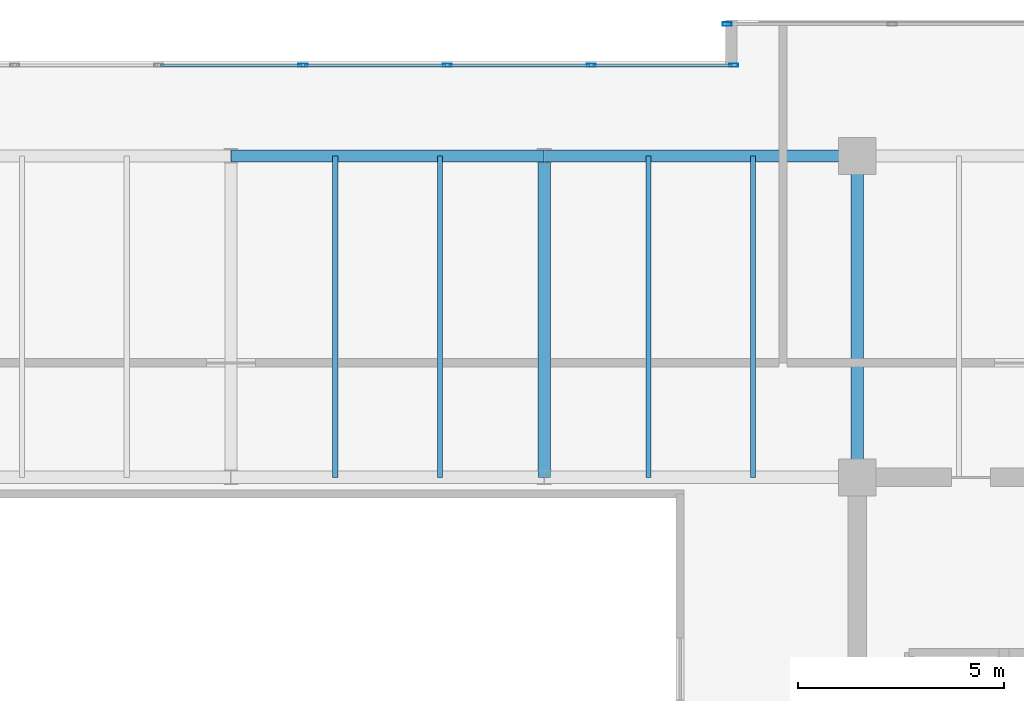
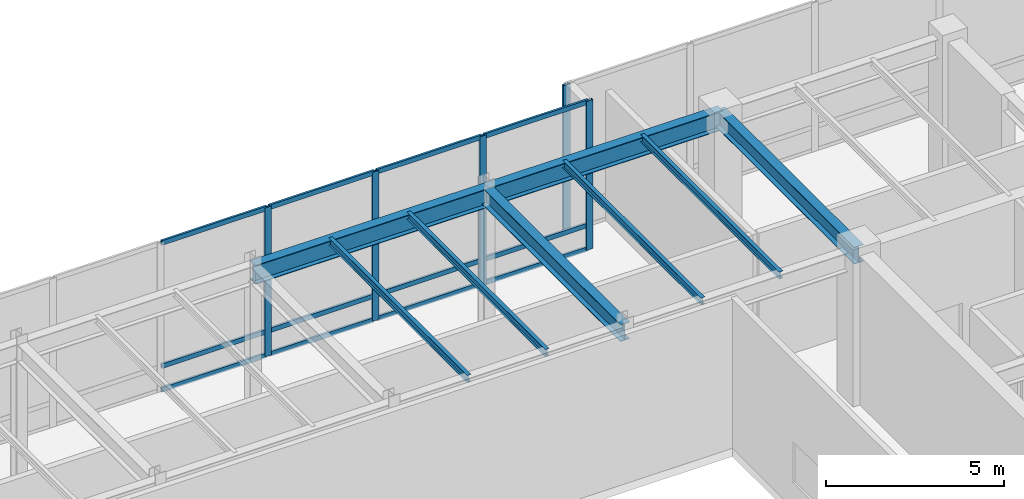
# One storey, part 20 of 30: 17 members, 8 beams, 2 elements without a shape of their own.
"""IFC4 building model written with IfcOpenShell, lengths in metres."""

from ifc_helpers import new_model, si_unit, direction, frame, origin, origin_2d, place, context, subcontext, project, spatial, hollow_rectangle, i_section, extrude, source, transform, mapped, material, layer, layer_set, material_profile, profile_set, type_object, type_shapes, element, aggregate, save


model = new_model("IFC4")

# Units and contexts
model_context = context("Model", 3, precision=1e-05, world=origin(), true_north=direction((0.0, 1.0)))
body_context = subcontext(model_context, "Body", "Model", "MODEL_VIEW")
ifc_project = project(units=[si_unit("LENGTHUNIT", "METRE"), si_unit("AREAUNIT", "SQUARE_METRE"), si_unit("VOLUMEUNIT", "CUBIC_METRE"), si_unit("PLANEANGLEUNIT", "RADIAN"), si_unit("MASSUNIT", "GRAM", prefix="KILO")], contexts=[model_context])

# Site, building, storey
site_placement = place(None, origin())
site = spatial("IfcSite", under=ifc_project, at=site_placement, CompositionType="ELEMENT")
building_placement = place(site_placement, origin())
building = spatial("IfcBuilding", under=site, at=building_placement, Name="Haelvirn Gate Laboratories", CompositionType="ELEMENT")
storey_placement = place(building_placement, frame((0.0, 0.0, 327.0)))
storey = spatial("IfcBuildingStorey", under=building, at=storey_placement, Name="L78", CompositionType="ELEMENT", Elevation=327.0)

# Beams
ifc_material_1 = material(Name="Steel SM355", Category="steel")
ifc_material_profile_1 = material_profile(ifc_material_1, i_section(OverallWidth=0.300048828125, OverallDepth=0.587890625, WebThickness=0.011962890625, FlangeThickness=0.02001953125, at=origin_2d()), Name="H-588x300x12x20")
ifc_profile_set_1 = profile_set([ifc_material_profile_1], Name="Steel SM355")
beam_type_1 = type_object("IfcBeamType", Name="BM-G-588", PredefinedType="BEAM", material=ifc_profile_set_1)
shared_shape_1 = source(origin(), body_context, "Body", "SweptSolid", [
    extrude(i_section(OverallWidth=0.300048828125, OverallDepth=0.587890625, WebThickness=0.011962890625, FlangeThickness=0.02001953125, at=origin_2d()), origin(), (0.0, 0.0, 1.0), 7.800048828125),
])
type_shapes(beam_type_1, [shared_shape_1])
for number, where, z_axis, x_axis, name in (
    (1, (45.0, 33.800048828125, 4.825927734375), (0.0, 1.0, 0.0), (-1.0, 0.0, 0.0), "L78 Frame Girder X45.0 (33.8-41.6)"),
    (2, (52.60009765625, 33.800048828125, 4.825927734375), (0.0, 1.0, 0.0), (-1.0, 0.0, 0.0), "L78 Frame Girder X52.6 (33.8-41.6)"),
):
    element("IfcBeam", number, at=place(storey_placement, frame(where, z_axis=z_axis, x_axis=x_axis)), inside=storey, type_object=beam_type_1, Name=name, PredefinedType="BEAM", context=body_context, shape_type="MappedRepresentation", body=[
        mapped(shared_shape_1, transform((0.0, 0.0, 0.0), scale=1.0)),
    ])
ifc_material_profile_2 = material_profile(ifc_material_1, i_section(OverallWidth=0.300048828125, OverallDepth=0.64990234375, WebThickness=0.012939453125, FlangeThickness=0.02197265625, at=origin_2d()), Name="H-650x300x13x22")
ifc_profile_set_2 = profile_set([ifc_material_profile_2], Name="Steel SM355")
beam_type_2 = type_object("IfcBeamType", Name="BM-G-650", PredefinedType="BEAM", material=ifc_profile_set_2)
shared_shape_2 = source(origin(), body_context, "Body", "SweptSolid", [
    extrude(i_section(OverallWidth=0.300048828125, OverallDepth=0.64990234375, WebThickness=0.012939453125, FlangeThickness=0.02197265625, at=origin_2d()), origin(), (0.0, 0.0, 1.0), 7.60009765625),
])
type_shapes(beam_type_2, [shared_shape_2])
for number, where, z_axis, x_axis, name in (
    (3, (37.39990234375, 41.60009765625, 4.794921875), (1.0, 0.0, 0.0), (0.0, 1.0, 0.0), "L78 Primary Girder Y41.6 (37.4-45.0)"),
    (4, (45.0, 41.60009765625, 4.794921875), (1.0, 0.0, 0.0), (0.0, 1.0, 0.0), "L78 Primary Girder Y41.6 (45.0-52.6)"),
):
    element("IfcBeam", number, at=place(storey_placement, frame(where, z_axis=z_axis, x_axis=x_axis)), inside=storey, type_object=beam_type_2, Name=name, PredefinedType="BEAM", context=body_context, shape_type="MappedRepresentation", body=[
        mapped(shared_shape_2, transform((0.0, 0.0, 0.0), scale=1.0)),
    ])
ifc_material_profile_3 = material_profile(ifc_material_1, i_section(OverallWidth=0.125, OverallDepth=0.25, WebThickness=0.006103515625, FlangeThickness=0.009033203125, at=origin_2d()), Name="H-250x125x6x9")
ifc_profile_set_3 = profile_set([ifc_material_profile_3], Name="Steel SM355")
beam_type_3 = type_object("IfcBeamType", Name="BM-J-250", PredefinedType="JOIST", material=ifc_profile_set_3)
shared_shape_3 = source(origin(), body_context, "Body", "SweptSolid", [
    extrude(i_section(OverallWidth=0.125, OverallDepth=0.25, WebThickness=0.006103515625, FlangeThickness=0.009033203125, at=origin_2d()), origin(), (0.0, 0.0, 1.0), 7.800048828125),
])
type_shapes(beam_type_3, [shared_shape_3])
for number, where, z_axis, x_axis, name in (
    (5, (39.929931640625, 33.800048828125, 4.9951171875), (0.0, 1.0, 0.0), (-1.0, 0.0, 0.0), "L78 Composite Lab Joist North X39.93"),
    (6, (42.469970703125, 33.800048828125, 4.9951171875), (0.0, 1.0, 0.0), (-1.0, 0.0, 0.0), "L78 Composite Lab Joist North X42.47"),
    (7, (47.530029296875, 33.800048828125, 4.9951171875), (0.0, 1.0, 0.0), (-1.0, 0.0, 0.0), "L78 Composite Lab Joist North X47.53"),
    (8, (50.070068359375, 33.800048828125, 4.9951171875), (0.0, 1.0, 0.0), (-1.0, 0.0, 0.0), "L78 Composite Lab Joist North X50.07"),
):
    element("IfcBeam", number, at=place(storey_placement, frame(where, z_axis=z_axis, x_axis=x_axis)), inside=storey, type_object=beam_type_3, Name=name, PredefinedType="JOIST", context=body_context, shape_type="MappedRepresentation", body=[
        mapped(shared_shape_3, transform((0.0, 0.0, 0.0), scale=1.0)),
    ])

# Curtain wall, member
ifc_material_2 = material(Name="Anodised bronze unitised aluminium & triple low-E glass", Category="aluminium")
ifc_layer = layer(ifc_material_2, 0.19189453125, Name="CW-SYS-6")
ifc_layer_set = layer_set([ifc_layer], Name="Anodised bronze unitised aluminium & triple low-E glass")
curtain_wall_type = type_object("IfcCurtainWallType", Name="CW-SYS-6", PredefinedType="NOTDEFINED", material=ifc_layer_set)
curtain_wall_1_placement = place(storey_placement, origin())
curtain_wall_1 = element("IfcCurtainWall", 9, at=curtain_wall_1_placement, inside=storey, type_object=curtain_wall_type, Name="L78 Unitised Curtain Wall CW-L78-P0-E10-1", PredefinedType="NOTDEFINED")
ifc_material_3 = material(Name="Extruded aluminium 6063-T6 (anodised bronze)", Category="aluminium")
ifc_material_profile_4 = material_profile(ifc_material_3, hollow_rectangle(XDim=0.080078125, YDim=0.219970703125, WallThickness=0.006103515625, at=origin_2d()), Name="CWM-220x80x6")
ifc_profile_set_4 = profile_set([ifc_material_profile_4], Name="Extruded aluminium 6063-T6 (anodised bronze)")
member_type_1 = type_object("IfcMemberType", Name="CWM-T220", PredefinedType="MULLION", material=ifc_profile_set_4)
shared_shape_4 = source(origin(), body_context, "Body", "SweptSolid", [
    extrude(hollow_rectangle(XDim=0.080078125, YDim=0.219970703125, WallThickness=0.006103515625, at=origin_2d()), origin(), (0.0, 0.0, 1.0), 5.1201171875),
])
type_shapes(member_type_1, [shared_shape_4])
member_1_placement = place(storey_placement, frame((49.43994140625, 44.800048828125, 0.0), z_axis=(0.0, 0.0, 1.0), x_axis=(0.0, 1.0, 0.0)))
member_1 = element("IfcMember", 10, at=member_1_placement, type_object=member_type_1, Name="CW6 mullion 1", PredefinedType="MULLION", context=body_context, shape_type="MappedRepresentation", body=[
    mapped(shared_shape_4, transform((0.0, 0.0, 0.0), scale=1.0)),
])
aggregate(curtain_wall_1, [member_1])

# Curtain wall, members
curtain_wall_2_placement = place(storey_placement, origin())
curtain_wall_2 = element("IfcCurtainWall", 11, at=curtain_wall_2_placement, inside=storey, type_object=curtain_wall_type, Name="L78 Unitised Curtain Wall CW-L78-P0-E12-1", PredefinedType="NOTDEFINED")
member_2_placement = place(storey_placement, frame((39.148681640625, 43.800048828125, 0.0), z_axis=(0.0, 0.0, 1.0), x_axis=(0.0, 1.0, 0.0)))
member_2 = element("IfcMember", 12, at=member_2_placement, type_object=member_type_1, Name="CW6 mullion 5", PredefinedType="MULLION", context=body_context, shape_type="MappedRepresentation", body=[
    mapped(shared_shape_4, transform((0.0, 0.0, 0.0), scale=1.0)),
])
member_3_placement = place(storey_placement, frame((42.645751953125, 43.800048828125, 0.0), z_axis=(0.0, 0.0, 1.0), x_axis=(0.0, 1.0, 0.0)))
member_3 = element("IfcMember", 13, at=member_3_placement, type_object=member_type_1, Name="CW6 mullion 6", PredefinedType="MULLION", context=body_context, shape_type="MappedRepresentation", body=[
    mapped(shared_shape_4, transform((0.0, 0.0, 0.0), scale=1.0)),
])
member_4_placement = place(storey_placement, frame((46.142822265625, 43.800048828125, 0.0), z_axis=(0.0, 0.0, 1.0), x_axis=(0.0, 1.0, 0.0)))
member_4 = element("IfcMember", 14, at=member_4_placement, type_object=member_type_1, Name="CW6 mullion 7", PredefinedType="MULLION", context=body_context, shape_type="MappedRepresentation", body=[
    mapped(shared_shape_4, transform((0.0, 0.0, 0.0), scale=1.0)),
])
member_5_placement = place(storey_placement, frame((49.60009765625, 43.800048828125, 0.0), z_axis=(0.0, 0.0, 1.0), x_axis=(0.0, 1.0, 0.0)))
member_5 = element("IfcMember", 15, at=member_5_placement, type_object=member_type_1, Name="CW6 mullion 8", PredefinedType="MULLION", context=body_context, shape_type="MappedRepresentation", body=[
    mapped(shared_shape_4, transform((0.0, 0.0, 0.0), scale=1.0)),
])
ifc_material_profile_5 = material_profile(ifc_material_3, hollow_rectangle(XDim=0.070068359375, YDim=0.159912109375, WallThickness=0.0048828125, at=origin_2d()), Name="CWT-160x70x5")
ifc_profile_set_5 = profile_set([ifc_material_profile_5], Name="Extruded aluminium 6063-T6 (anodised bronze)")
member_type_2 = type_object("IfcMemberType", Name="CWT-T160", PredefinedType="USERDEFINED", material=ifc_profile_set_5)
shared_shape_5 = source(origin(), body_context, "Body", "SweptSolid", [
    extrude(hollow_rectangle(XDim=0.070068359375, YDim=0.159912109375, WallThickness=0.0048828125, at=origin_2d()), origin(), (0.0, 0.0, 1.0), 3.377197265625),
])
member_6_placement = place(storey_placement, frame((46.182861328125, 43.800048828125, 0.034912109375), z_axis=(1.0, 0.0, 0.0), x_axis=(0.0, 1.0, 0.0)))
member_6 = element("IfcMember", 16, at=member_6_placement, type_object=member_type_2, Name="CW6 transom 7.1", ObjectType="TRANSOM", PredefinedType="USERDEFINED", context=body_context, shape_type="MappedRepresentation", body=[
    mapped(shared_shape_5, transform((0.0, 0.0, 0.0), scale=1.0)),
])
member_7_placement = place(storey_placement, frame((46.182861328125, 43.800048828125, 0.85009765625), z_axis=(1.0, 0.0, 0.0), x_axis=(0.0, 1.0, 0.0)))
member_7 = element("IfcMember", 17, at=member_7_placement, type_object=member_type_2, Name="CW6 transom 7.2", ObjectType="TRANSOM", PredefinedType="USERDEFINED", context=body_context, shape_type="MappedRepresentation", body=[
    mapped(shared_shape_5, transform((0.0, 0.0, 0.0), scale=1.0)),
])
member_8_placement = place(storey_placement, frame((46.182861328125, 43.800048828125, 5.0849609375), z_axis=(1.0, 0.0, 0.0), x_axis=(0.0, 1.0, 0.0)))
member_8 = element("IfcMember", 18, at=member_8_placement, type_object=member_type_2, Name="CW6 transom 7.3", ObjectType="TRANSOM", PredefinedType="USERDEFINED", context=body_context, shape_type="MappedRepresentation", body=[
    mapped(shared_shape_5, transform((0.0, 0.0, 0.0), scale=1.0)),
])
shared_shape_6 = source(origin(), body_context, "Body", "SweptSolid", [
    extrude(hollow_rectangle(XDim=0.070068359375, YDim=0.159912109375, WallThickness=0.0048828125, at=origin_2d()), origin(), (0.0, 0.0, 1.0), 3.417236328125),
])
member_9_placement = place(storey_placement, frame((35.69140625, 43.800048828125, 0.034912109375), z_axis=(1.0, 0.0, 0.0), x_axis=(0.0, 1.0, 0.0)))
member_9 = element("IfcMember", 19, at=member_9_placement, type_object=member_type_2, Name="CW6 transom 4.1", ObjectType="TRANSOM", PredefinedType="USERDEFINED", context=body_context, shape_type="MappedRepresentation", body=[
    mapped(shared_shape_6, transform((0.0, 0.0, 0.0), scale=1.0)),
])
member_10_placement = place(storey_placement, frame((35.69140625, 43.800048828125, 0.85009765625), z_axis=(1.0, 0.0, 0.0), x_axis=(0.0, 1.0, 0.0)))
member_10 = element("IfcMember", 20, at=member_10_placement, type_object=member_type_2, Name="CW6 transom 4.2", ObjectType="TRANSOM", PredefinedType="USERDEFINED", context=body_context, shape_type="MappedRepresentation", body=[
    mapped(shared_shape_6, transform((0.0, 0.0, 0.0), scale=1.0)),
])
member_11_placement = place(storey_placement, frame((35.69140625, 43.800048828125, 5.0849609375), z_axis=(1.0, 0.0, 0.0), x_axis=(0.0, 1.0, 0.0)))
member_11 = element("IfcMember", 21, at=member_11_placement, type_object=member_type_2, Name="CW6 transom 4.3", ObjectType="TRANSOM", PredefinedType="USERDEFINED", context=body_context, shape_type="MappedRepresentation", body=[
    mapped(shared_shape_6, transform((0.0, 0.0, 0.0), scale=1.0)),
])
member_12_placement = place(storey_placement, frame((39.1884765625, 43.800048828125, 0.034912109375), z_axis=(1.0, 0.0, 0.0), x_axis=(0.0, 1.0, 0.0)))
member_12 = element("IfcMember", 22, at=member_12_placement, type_object=member_type_2, Name="CW6 transom 5.1", ObjectType="TRANSOM", PredefinedType="USERDEFINED", context=body_context, shape_type="MappedRepresentation", body=[
    mapped(shared_shape_6, transform((0.0, 0.0, 0.0), scale=1.0)),
])
member_13_placement = place(storey_placement, frame((39.1884765625, 43.800048828125, 0.85009765625), z_axis=(1.0, 0.0, 0.0), x_axis=(0.0, 1.0, 0.0)))
member_13 = element("IfcMember", 23, at=member_13_placement, type_object=member_type_2, Name="CW6 transom 5.2", ObjectType="TRANSOM", PredefinedType="USERDEFINED", context=body_context, shape_type="MappedRepresentation", body=[
    mapped(shared_shape_6, transform((0.0, 0.0, 0.0), scale=1.0)),
])
member_14_placement = place(storey_placement, frame((39.1884765625, 43.800048828125, 5.0849609375), z_axis=(1.0, 0.0, 0.0), x_axis=(0.0, 1.0, 0.0)))
member_14 = element("IfcMember", 24, at=member_14_placement, type_object=member_type_2, Name="CW6 transom 5.3", ObjectType="TRANSOM", PredefinedType="USERDEFINED", context=body_context, shape_type="MappedRepresentation", body=[
    mapped(shared_shape_6, transform((0.0, 0.0, 0.0), scale=1.0)),
])
shared_shape_7 = source(origin(), body_context, "Body", "SweptSolid", [
    extrude(hollow_rectangle(XDim=0.070068359375, YDim=0.159912109375, WallThickness=0.0048828125, at=origin_2d()), origin(), (0.0, 0.0, 1.0), 3.4169921875),
])
type_shapes(member_type_2, [shared_shape_5, shared_shape_6, shared_shape_7])
member_15_placement = place(storey_placement, frame((42.685791015625, 43.800048828125, 0.034912109375), z_axis=(1.0, 0.0, 0.0), x_axis=(0.0, 1.0, 0.0)))
member_15 = element("IfcMember", 25, at=member_15_placement, type_object=member_type_2, Name="CW6 transom 6.1", ObjectType="TRANSOM", PredefinedType="USERDEFINED", context=body_context, shape_type="MappedRepresentation", body=[
    mapped(shared_shape_7, transform((0.0, 0.0, 0.0), scale=1.0)),
])
member_16_placement = place(storey_placement, frame((42.685791015625, 43.800048828125, 0.85009765625), z_axis=(1.0, 0.0, 0.0), x_axis=(0.0, 1.0, 0.0)))
member_16 = element("IfcMember", 26, at=member_16_placement, type_object=member_type_2, Name="CW6 transom 6.2", ObjectType="TRANSOM", PredefinedType="USERDEFINED", context=body_context, shape_type="MappedRepresentation", body=[
    mapped(shared_shape_7, transform((0.0, 0.0, 0.0), scale=1.0)),
])
member_17_placement = place(storey_placement, frame((42.685791015625, 43.800048828125, 5.0849609375), z_axis=(1.0, 0.0, 0.0), x_axis=(0.0, 1.0, 0.0)))
member_17 = element("IfcMember", 27, at=member_17_placement, type_object=member_type_2, Name="CW6 transom 6.3", ObjectType="TRANSOM", PredefinedType="USERDEFINED", context=body_context, shape_type="MappedRepresentation", body=[
    mapped(shared_shape_7, transform((0.0, 0.0, 0.0), scale=1.0)),
])
aggregate(curtain_wall_2, [member_2, member_3, member_4, member_5, member_9, member_10, member_11, member_12, member_13, member_14, member_15, member_16, member_17, member_6, member_7, member_8])

save(model, "model.ifc")
